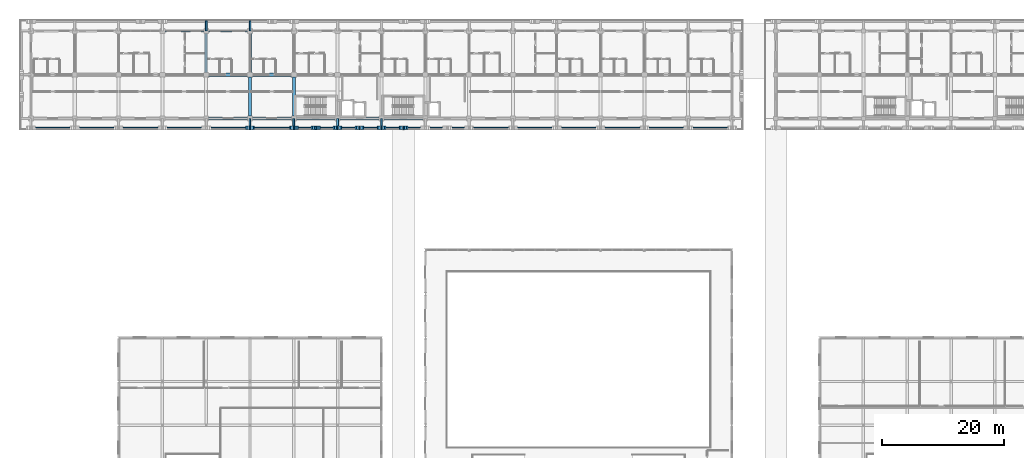
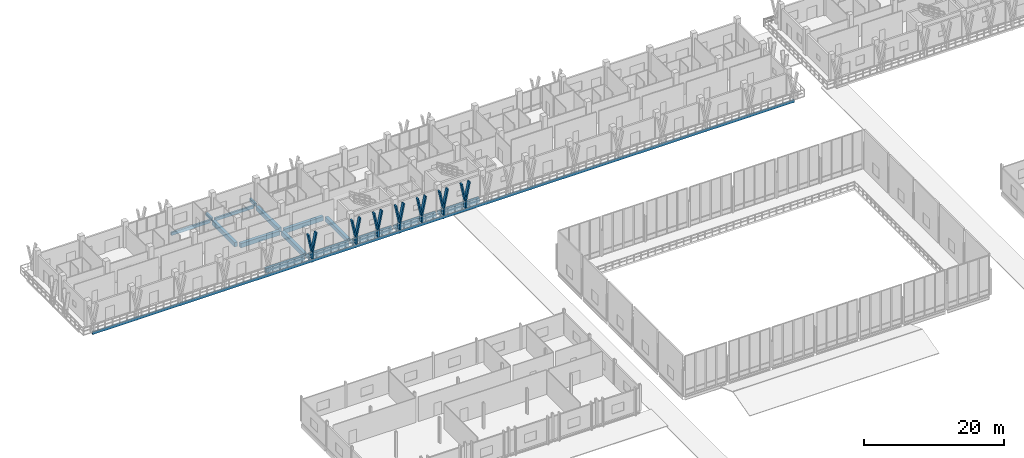
# One storey, part 28 of 110: 21 members, 20 beams.
"""IFC4 building model written with IfcOpenShell, lengths in metres."""

from ifc_helpers import new_model, si_unit, direction, frame, origin, origin_2d, place, context, subcontext, project, spatial, rectangle, extrude, material, material_profile, profile_set, type_object, element, save


model = new_model("IFC4")

# Units and contexts
model_context = context("Model", 3, precision=1e-05, world=origin(), true_north=direction((0.0, 1.0)))
body_context = subcontext(model_context, "Body", "Model", "MODEL_VIEW")
ifc_project = project(units=[si_unit("LENGTHUNIT", "METRE"), si_unit("AREAUNIT", "SQUARE_METRE"), si_unit("VOLUMEUNIT", "CUBIC_METRE"), si_unit("PLANEANGLEUNIT", "RADIAN"), si_unit("MASSUNIT", "GRAM", prefix="KILO")], contexts=[model_context])

# Site, building, storey
site_placement = place(None, origin())
site = spatial("IfcSite", under=ifc_project, at=site_placement, CompositionType="ELEMENT")
building_placement = place(site_placement, origin())
building = spatial("IfcBuilding", under=site, at=building_placement, Name="Suanplinth Sawtooth Commons", CompositionType="ELEMENT")
storey_placement = place(building_placement, frame((0.0, 0.0, 4.5)))
storey = spatial("IfcBuildingStorey", under=building, at=storey_placement, Name="L01", CompositionType="ELEMENT", Elevation=4.5)

# Beams
ifc_material_1 = material(Name="Concrete C40/50", Category="concrete")
ifc_material_profile_1 = material_profile(ifc_material_1, rectangle(XDim=0.5, YDim=0.75, at=origin_2d()), Name="RC-GDR 500x750")
ifc_profile_set_1 = profile_set([ifc_material_profile_1], Name="Concrete C40/50")
beam_type_1 = type_object("IfcBeamType", Name="B-03", PredefinedType="USERDEFINED", material=ifc_profile_set_1)
for number, where, z_axis, x_axis, name in (
    (1, (29.199951171875, 108.0, -0.675048828125), (1.0, 0.0, 0.0), (0.0, 1.0, 0.0), "BMX-L01-A-4-15"),
    (2, (29.199951171875, 115.199951171875, -0.675048828125), (1.0, 0.0, 0.0), (0.0, 1.0, 0.0), "BMX-L01-A-4-16"),
    (3, (36.39990234375, 108.0, -0.675048828125), (1.0, 0.0, 0.0), (0.0, 1.0, 0.0), "BMX-L01-A-5-15"),
    (4, (36.39990234375, 115.199951171875, -0.675048828125), (1.0, 0.0, 0.0), (0.0, 1.0, 0.0), "BMX-L01-A-5-16"),
):
    element("IfcBeam", number, at=place(storey_placement, frame(where, z_axis=z_axis, x_axis=x_axis)), inside=storey, type_object=beam_type_1, Name=name, ObjectType="GIRDER", PredefinedType="USERDEFINED", context=body_context, shape_type="SweptSolid", body=[
        extrude(rectangle(XDim=0.5, YDim=0.75, at=origin_2d()), origin(), (0.0, 0.0, 1.0), 6.400146484375),
    ])
for number, where, z_axis, x_axis, name in (
    (5, (43.60009765625, 108.0, -0.675048828125), (1.0, 0.0, 0.0), (0.0, 1.0, 0.0), "BMX-L01-A-6-15"),
    (6, (50.800048828125, 108.0, -0.675048828125), (1.0, 0.0, 0.0), (0.0, 1.0, 0.0), "BMX-L01-A-7-15"),
    (7, (58.0, 108.0, -0.675048828125), (1.0, 0.0, 0.0), (0.0, 1.0, 0.0), "BMX-L01-A-8-15"),
    (8, (28.800048828125, 115.60009765625, -0.675048828125), (0.0, 1.0, 0.0), (-1.0, 0.0, 0.0), "BMY-L01-A-4-16"),
):
    element("IfcBeam", number, at=place(storey_placement, frame(where, z_axis=z_axis, x_axis=x_axis)), inside=storey, type_object=beam_type_1, Name=name, ObjectType="GIRDER", PredefinedType="USERDEFINED", context=body_context, shape_type="SweptSolid", body=[
        extrude(rectangle(XDim=0.5, YDim=0.75, at=origin_2d()), origin(), (0.0, 0.0, 1.0), 6.39990234375),
    ])
beam_1_placement = place(storey_placement, frame((36.0, 108.39990234375, -0.675048828125), z_axis=(0.0, 1.0, 0.0), x_axis=(-1.0, 0.0, 0.0)))
element("IfcBeam", 9, at=beam_1_placement, inside=storey, type_object=beam_type_1, Name="BMY-L01-A-5-15", ObjectType="GIRDER", PredefinedType="USERDEFINED", context=body_context, shape_type="SweptSolid", body=[
    extrude(rectangle(XDim=0.5, YDim=0.75, at=origin_2d()), origin(), (0.0, 0.0, 1.0), 6.400146484375),
])
beam_2_placement = place(storey_placement, frame((36.0, 115.60009765625, -0.675048828125), z_axis=(0.0, 1.0, 0.0), x_axis=(-1.0, 0.0, 0.0)))
element("IfcBeam", 10, at=beam_2_placement, inside=storey, type_object=beam_type_1, Name="BMY-L01-A-5-16", ObjectType="GIRDER", PredefinedType="USERDEFINED", context=body_context, shape_type="SweptSolid", body=[
    extrude(rectangle(XDim=0.5, YDim=0.75, at=origin_2d()), origin(), (0.0, 0.0, 1.0), 6.39990234375),
])
beam_3_placement = place(storey_placement, frame((43.199951171875, 108.39990234375, -0.675048828125), z_axis=(0.0, 1.0, 0.0), x_axis=(-1.0, 0.0, 0.0)))
element("IfcBeam", 11, at=beam_3_placement, inside=storey, type_object=beam_type_1, Name="BMY-L01-A-6-15", ObjectType="GIRDER", PredefinedType="USERDEFINED", context=body_context, shape_type="SweptSolid", body=[
    extrude(rectangle(XDim=0.5, YDim=0.75, at=origin_2d()), origin(), (0.0, 0.0, 1.0), 6.400146484375),
])
ifc_material_2 = material(Name="Precast concrete C40/50", Category="concrete")
ifc_material_profile_2 = material_profile(ifc_material_2, rectangle(XDim=0.300048828125, YDim=0.5, at=origin_2d()), Name="PC-BM 300x500")
ifc_profile_set_2 = profile_set([ifc_material_profile_2], Name="Precast concrete C40/50")
beam_type_2 = type_object("IfcBeamType", Name="B-07", PredefinedType="BEAM", material=ifc_profile_set_2)
for number, where, z_axis, x_axis, name in (
    (12, (28.800048828125, 122.39990234375, -0.429931640625), (0.0, 1.0, 0.0), (-1.0, 0.0, 0.0), "Balcony Outrigger L01-A-N-4"),
    (13, (36.0, 122.39990234375, -0.429931640625), (0.0, 1.0, 0.0), (-1.0, 0.0, 0.0), "Balcony Outrigger L01-A-N-5"),
):
    element("IfcBeam", number, at=place(storey_placement, frame(where, z_axis=z_axis, x_axis=x_axis)), inside=storey, type_object=beam_type_2, Name=name, PredefinedType="BEAM", context=body_context, shape_type="SweptSolid", body=[
        extrude(rectangle(XDim=0.300048828125, YDim=0.5, at=origin_2d()), origin(), (0.0, 0.0, 1.0), 1.64013671875),
    ])
for number, where, z_axis, x_axis, name in (
    (14, (36.0, 108.0, -0.429931640625), (0.0, -1.0, 0.0), (1.0, 0.0, 0.0), "Balcony Outrigger L01-A-S-5"),
    (15, (43.199951171875, 108.0, -0.429931640625), (0.0, -1.0, 0.0), (1.0, 0.0, 0.0), "Balcony Outrigger L01-A-S-6"),
    (16, (50.39990234375, 108.0, -0.429931640625), (0.0, -1.0, 0.0), (1.0, 0.0, 0.0), "Balcony Outrigger L01-A-S-7"),
    (17, (57.60009765625, 108.0, -0.429931640625), (0.0, -1.0, 0.0), (1.0, 0.0, 0.0), "Balcony Outrigger L01-A-S-8"),
):
    element("IfcBeam", number, at=place(storey_placement, frame(where, z_axis=z_axis, x_axis=x_axis)), inside=storey, type_object=beam_type_2, Name=name, PredefinedType="BEAM", context=body_context, shape_type="SweptSolid", body=[
        extrude(rectangle(XDim=0.300048828125, YDim=0.5, at=origin_2d()), origin(), (0.0, 0.0, 1.0), 1.639892578125),
    ])
ifc_material_profile_3 = material_profile(ifc_material_2, rectangle(XDim=0.280029296875, YDim=0.52001953125, at=origin_2d()), Name="PC-SP 280x520")
ifc_profile_set_3 = profile_set([ifc_material_profile_3], Name="Precast concrete C40/50")
beam_type_3 = type_object("IfcBeamType", Name="B-08", PredefinedType="SPANDREL", material=ifc_profile_set_3)
beam_4_placement = place(storey_placement, frame((22.0, 122.39990234375, -0.56005859375), z_axis=(1.0, 0.0, 0.0), x_axis=(0.0, 1.0, 0.0)))
element("IfcBeam", 18, at=beam_4_placement, inside=storey, type_object=beam_type_3, Name="BMX-L01-A-3-17", PredefinedType="SPANDREL", context=body_context, shape_type="SweptSolid", body=[
    extrude(rectangle(XDim=0.280029296875, YDim=0.52001953125, at=origin_2d()), origin(), (0.0, 0.0, 1.0), 6.39990234375),
])
beam_5_placement = place(storey_placement, frame((29.199951171875, 122.39990234375, -0.56005859375), z_axis=(1.0, 0.0, 0.0), x_axis=(0.0, 1.0, 0.0)))
element("IfcBeam", 19, at=beam_5_placement, inside=storey, type_object=beam_type_3, Name="BMX-L01-A-4-17", PredefinedType="SPANDREL", context=body_context, shape_type="SweptSolid", body=[
    extrude(rectangle(XDim=0.280029296875, YDim=0.52001953125, at=origin_2d()), origin(), (0.0, 0.0, 1.0), 6.400146484375),
])
ifc_material_profile_4 = material_profile(ifc_material_2, rectangle(XDim=0.25, YDim=0.449951171875, at=origin_2d()), Name="PC-SP 250x450")
ifc_profile_set_4 = profile_set([ifc_material_profile_4], Name="Precast concrete C40/50")
beam_type_4 = type_object("IfcBeamType", Name="B-09", PredefinedType="SPANDREL", material=ifc_profile_set_4)
beam_6_placement = place(storey_placement, frame((-0.14990234375, 106.47998046875, -0.405029296875), z_axis=(1.0, 0.0, 0.0), x_axis=(0.0, 1.0, 0.0)))
element("IfcBeam", 20, at=beam_6_placement, inside=storey, type_object=beam_type_4, Name="Balcony Edge Fascia L01-A-S", PredefinedType="SPANDREL", context=body_context, shape_type="SweptSolid", body=[
    extrude(rectangle(XDim=0.25, YDim=0.449951171875, at=origin_2d()), origin(), (0.0, 0.0, 1.0), 115.5),
])

# Members
ifc_material_3 = material(Name="Pigmented precast concrete C40/50", Category="concrete")
ifc_material_profile_5 = material_profile(ifc_material_3, rectangle(XDim=0.260009765625, YDim=0.550048828125, at=origin_2d()), Name="PC-FIN 260x550")
ifc_profile_set_5 = profile_set([ifc_material_profile_5], Name="Pigmented precast concrete C40/50")
member_type_1 = type_object("IfcMemberType", Name="M-09", PredefinedType="USERDEFINED", material=ifc_profile_set_5)
for number, where, z_axis, x_axis, name in (
    (21, (36.0, 106.47998046875, 0.0), (0.0, 0.0, 1.0), (1.0, 0.0, 0.0), "Y-Blade Stem L01-A-S-15"),
    (22, (43.199951171875, 106.47998046875, 0.0), (0.0, 0.0, 1.0), (1.0, 0.0, 0.0), "Y-Blade Stem L01-A-S-16"),
    (23, (46.800048828125, 106.47998046875, 0.0), (0.0, 0.0, 1.0), (1.0, 0.0, 0.0), "Y-Blade Stem L01-A-S-17"),
    (24, (50.39990234375, 106.47998046875, 0.0), (0.0, 0.0, 1.0), (1.0, 0.0, 0.0), "Y-Blade Stem L01-A-S-18"),
    (25, (54.0, 106.47998046875, 0.0), (0.0, 0.0, 1.0), (1.0, 0.0, 0.0), "Y-Blade Stem L01-A-S-19"),
    (26, (57.60009765625, 106.47998046875, 0.0), (0.0, 0.0, 1.0), (1.0, 0.0, 0.0), "Y-Blade Stem L01-A-S-20"),
    (27, (61.199951171875, 106.47998046875, 0.0), (0.0, 0.0, 1.0), (1.0, 0.0, 0.0), "Y-Blade Stem L01-A-S-21"),
):
    element("IfcMember", number, at=place(storey_placement, frame(where, z_axis=z_axis, x_axis=x_axis)), inside=storey, type_object=member_type_1, Name=name, ObjectType="SHADING FIN", PredefinedType="USERDEFINED", context=body_context, shape_type="SweptSolid", body=[
        extrude(rectangle(XDim=0.260009765625, YDim=0.550048828125, at=origin_2d()), origin(), (0.0, 0.0, 1.0), 1.169921875),
    ])
ifc_material_profile_6 = material_profile(ifc_material_3, rectangle(XDim=0.219970703125, YDim=0.550048828125, at=origin_2d()), Name="PC-FIN 220x550")
ifc_profile_set_6 = profile_set([ifc_material_profile_6], Name="Pigmented precast concrete C40/50")
member_type_2 = type_object("IfcMemberType", Name="M-10", PredefinedType="USERDEFINED", material=ifc_profile_set_6)
for number, where, z_axis, x_axis, name in (
    (28, (36.0, 106.47998046875, 1.1298828125), (-0.197582858822, 0.0, 0.980286189793), (0.980286189793, 0.0, 0.197582858822), "Y-Blade Arm L L01-A-S-15"),
    (29, (36.0, 106.47998046875, 1.1298828125), (0.197582858822, 0.0, 0.980286189793), (-0.980286189793, 0.0, 0.197582858822), "Y-Blade Arm R L01-A-S-15"),
):
    element("IfcMember", number, at=place(storey_placement, frame(where, z_axis=z_axis, x_axis=x_axis)), inside=storey, type_object=member_type_2, Name=name, ObjectType="SHADING FIN", PredefinedType="USERDEFINED", context=body_context, shape_type="SweptSolid", body=[
        extrude(rectangle(XDim=0.219970703125, YDim=0.550048828125, at=origin_2d()), origin(), (0.0, 0.0, 1.0), 3.2646484375),
    ])
member_1_placement = place(storey_placement, frame((43.199951171875, 106.47998046875, 1.1298828125), z_axis=(-0.197510991436, 0.0, 0.980300672377), x_axis=(0.980300672377, 0.0, 0.197510991436)))
element("IfcMember", 30, at=member_1_placement, inside=storey, type_object=member_type_2, Name="Y-Blade Arm L L01-A-S-16", ObjectType="SHADING FIN", PredefinedType="USERDEFINED", context=body_context, shape_type="SweptSolid", body=[
    extrude(rectangle(XDim=0.219970703125, YDim=0.550048828125, at=origin_2d()), origin(), (0.0, 0.0, 1.0), 3.264404296875),
])
for number, where, z_axis, x_axis, name in (
    (31, (43.199951171875, 106.47998046875, 1.1298828125), (0.197582858822, 0.0, 0.980286189793), (-0.980286189793, 0.0, 0.197582858822), "Y-Blade Arm R L01-A-S-16"),
    (32, (46.800048828125, 106.47998046875, 1.1298828125), (-0.197582858822, 0.0, 0.980286189793), (0.980286189793, 0.0, 0.197582858822), "Y-Blade Arm L L01-A-S-17"),
):
    element("IfcMember", number, at=place(storey_placement, frame(where, z_axis=z_axis, x_axis=x_axis)), inside=storey, type_object=member_type_2, Name=name, ObjectType="SHADING FIN", PredefinedType="USERDEFINED", context=body_context, shape_type="SweptSolid", body=[
        extrude(rectangle(XDim=0.219970703125, YDim=0.550048828125, at=origin_2d()), origin(), (0.0, 0.0, 1.0), 3.2646484375),
    ])
for number, where, z_axis, x_axis, name in (
    (33, (46.800048828125, 106.47998046875, 1.1298828125), (0.197510991436, 0.0, 0.980300672377), (-0.980300672377, 0.0, 0.197510991436), "Y-Blade Arm R L01-A-S-17"),
    (34, (50.39990234375, 106.47998046875, 1.1298828125), (-0.197510991436, 0.0, 0.980300672377), (0.980300672377, 0.0, 0.197510991436), "Y-Blade Arm L L01-A-S-18"),
):
    element("IfcMember", number, at=place(storey_placement, frame(where, z_axis=z_axis, x_axis=x_axis)), inside=storey, type_object=member_type_2, Name=name, ObjectType="SHADING FIN", PredefinedType="USERDEFINED", context=body_context, shape_type="SweptSolid", body=[
        extrude(rectangle(XDim=0.219970703125, YDim=0.550048828125, at=origin_2d()), origin(), (0.0, 0.0, 1.0), 3.264404296875),
    ])
for number, where, z_axis, x_axis, name in (
    (35, (50.39990234375, 106.47998046875, 1.1298828125), (0.197582858822, 0.0, 0.980286189793), (-0.980286189793, 0.0, 0.197582858822), "Y-Blade Arm R L01-A-S-18"),
    (36, (54.0, 106.47998046875, 1.1298828125), (-0.197582858822, 0.0, 0.980286189793), (0.980286189793, 0.0, 0.197582858822), "Y-Blade Arm L L01-A-S-19"),
    (37, (54.0, 106.47998046875, 1.1298828125), (0.197582858822, 0.0, 0.980286189793), (-0.980286189793, 0.0, 0.197582858822), "Y-Blade Arm R L01-A-S-19"),
    (38, (57.60009765625, 106.47998046875, 1.1298828125), (-0.197582858822, 0.0, 0.980286189793), (0.980286189793, 0.0, 0.197582858822), "Y-Blade Arm L L01-A-S-20"),
):
    element("IfcMember", number, at=place(storey_placement, frame(where, z_axis=z_axis, x_axis=x_axis)), inside=storey, type_object=member_type_2, Name=name, ObjectType="SHADING FIN", PredefinedType="USERDEFINED", context=body_context, shape_type="SweptSolid", body=[
        extrude(rectangle(XDim=0.219970703125, YDim=0.550048828125, at=origin_2d()), origin(), (0.0, 0.0, 1.0), 3.2646484375),
    ])
for number, where, z_axis, x_axis, name in (
    (39, (57.60009765625, 106.47998046875, 1.1298828125), (0.197510991436, 0.0, 0.980300672377), (-0.980300672377, 0.0, 0.197510991436), "Y-Blade Arm R L01-A-S-20"),
    (40, (61.199951171875, 106.47998046875, 1.1298828125), (-0.197510991436, 0.0, 0.980300672377), (0.980300672377, 0.0, 0.197510991436), "Y-Blade Arm L L01-A-S-21"),
):
    element("IfcMember", number, at=place(storey_placement, frame(where, z_axis=z_axis, x_axis=x_axis)), inside=storey, type_object=member_type_2, Name=name, ObjectType="SHADING FIN", PredefinedType="USERDEFINED", context=body_context, shape_type="SweptSolid", body=[
        extrude(rectangle(XDim=0.219970703125, YDim=0.550048828125, at=origin_2d()), origin(), (0.0, 0.0, 1.0), 3.264404296875),
    ])
member_2_placement = place(storey_placement, frame((61.199951171875, 106.47998046875, 1.1298828125), z_axis=(0.197582858822, 0.0, 0.980286189793), x_axis=(-0.980286189793, 0.0, 0.197582858822)))
element("IfcMember", 41, at=member_2_placement, inside=storey, type_object=member_type_2, Name="Y-Blade Arm R L01-A-S-21", ObjectType="SHADING FIN", PredefinedType="USERDEFINED", context=body_context, shape_type="SweptSolid", body=[
    extrude(rectangle(XDim=0.219970703125, YDim=0.550048828125, at=origin_2d()), origin(), (0.0, 0.0, 1.0), 3.2646484375),
])

save(model, "model.ifc")
